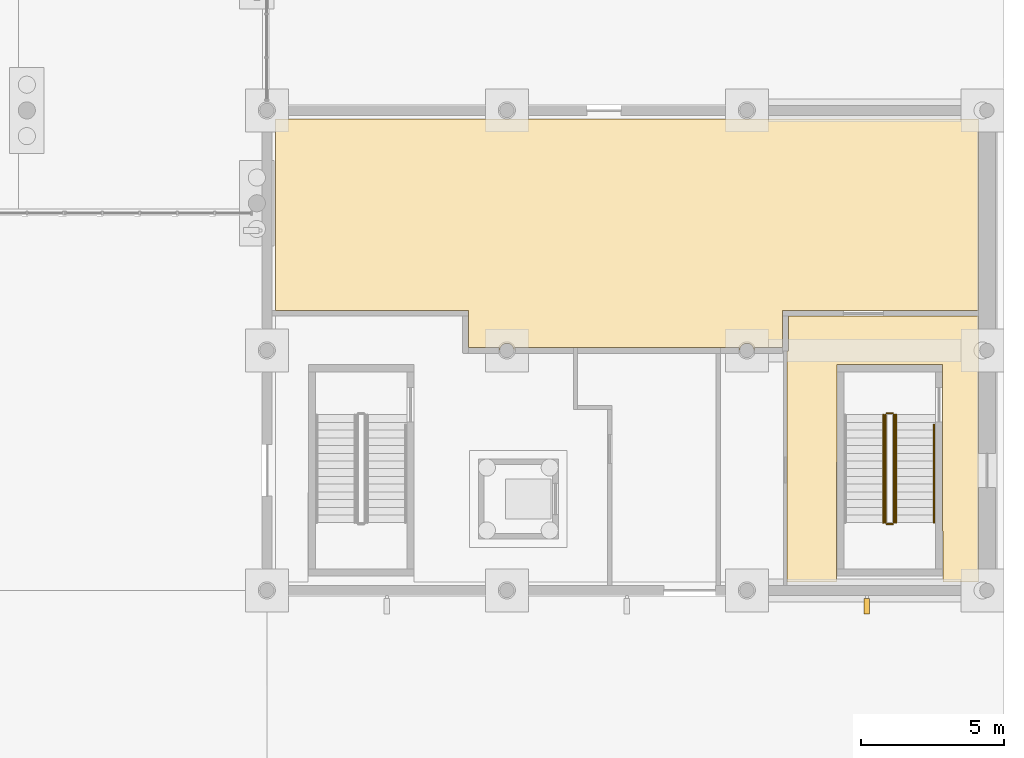
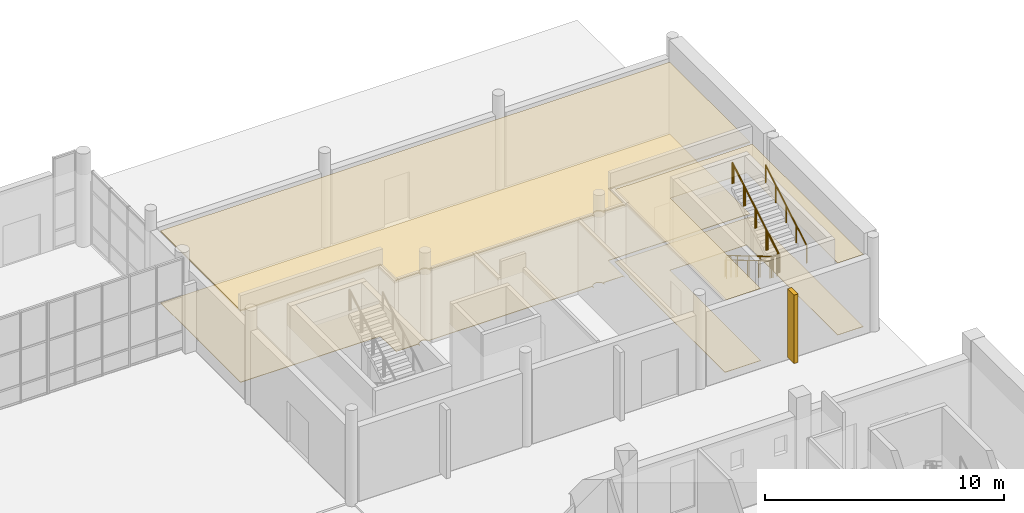
# One storey, part 108 of 110: 7 railings, 5 coverings.
"""IFC4 building model written with IfcOpenShell, lengths in metres."""

import ifcopenshell
import ifcopenshell.guid

model = None  # the IFC model being written
_history = None  # IfcOwnerHistory: only IFC2X3 demands one
_inside = {}  # id of a spatial element -> (the spatial element, [elements in it])
_under = {}  # id of a project, library or spatial element -> (it, [spatial elements below it])
_declared = {}  # id of a project -> (the project, [libraries it declares])
_typed = {}  # id of a type object -> (the type object, [elements of that type])
_made_of = {}  # id of a material, layer set ... -> (it, [elements and type objects made of it])


def new_model(schema):
    """Start an empty IFC model of exactly this schema.

    Asked for "IFC4X3", IfcOpenShell would pick the latest addendum, in which some entities
    have other attributes; the version numbers below select the first issue.
    IFC2X3 requires an IfcOwnerHistory on every rooted entity: one is made here for all.
    """
    global model, _history
    if schema == "IFC4X3":
        model = ifcopenshell.file(schema_version=(4, 3, 0, 0))
    else:
        model = ifcopenshell.file(schema=schema)
    _inside.clear()
    _under.clear()
    _declared.clear()
    _typed.clear()
    _made_of.clear()
    _history = None
    if model.schema == "IFC2X3":
        org = make("IfcOrganization", Name="unknown")
        user = make(
            "IfcPersonAndOrganization",
            ThePerson=make("IfcPerson", FamilyName="unknown"),
            TheOrganization=org,
        )
        app = make(
            "IfcApplication",
            ApplicationDeveloper=org,
            Version="unknown",
            ApplicationFullName="unknown",
            ApplicationIdentifier="unknown",
        )
        _history = make(
            "IfcOwnerHistory",
            OwningUser=user,
            OwningApplication=app,
            ChangeAction="ADDED",
            CreationDate=0,
        )
    return model


def make(cls, **values):
    """One entity of the class cls with the attributes given. An attribute that is None is left unset."""
    return model.create_entity(
        cls, **{name: value for name, value in values.items() if value is not None}
    )


def rooted(cls, **values):
    """An entity with a GlobalId (a new one), such as an element, a storey or a relation."""
    return make(cls, GlobalId=ifcopenshell.guid.new(), OwnerHistory=_history, **values)


def si_unit(unit_type, name, prefix=None):
    """IfcSIUnit, for example si_unit("LENGTHUNIT", "METRE", prefix="MILLI")."""
    return make("IfcSIUnit", UnitType=unit_type, Prefix=prefix, Name=name)


def assignment(units):
    """IfcUnitAssignment: the units of a project."""
    return None if units is None else make("IfcUnitAssignment", Units=units)


def point(xyz):
    """IfcCartesianPoint."""
    return None if xyz is None else make("IfcCartesianPoint", Coordinates=xyz)


def direction(xyz):
    """IfcDirection."""
    return None if xyz is None else make("IfcDirection", DirectionRatios=xyz)


def frame(location, z_axis=None, x_axis=None):
    """IfcAxis2Placement3D, a coordinate frame: its origin and axes. An axis left out is left unset."""
    return make(
        "IfcAxis2Placement3D",
        Location=point(location),
        Axis=direction(z_axis),
        RefDirection=direction(x_axis),
    )


def frame_2d(location, x_axis=None):
    """IfcAxis2Placement2D, a coordinate frame in the plane: its origin and x axis."""
    return make(
        "IfcAxis2Placement2D", Location=point(location), RefDirection=direction(x_axis)
    )


def origin():
    """The frame at (0, 0, 0) with its axes left unset."""
    return frame((0.0, 0.0, 0.0))


def origin_2d():
    """The frame at (0, 0) in the plane with its x axis left unset."""
    return frame_2d((0.0, 0.0))


def place(relative_to, where):
    """IfcLocalPlacement: puts the frame where relative to a parent placement (None: the world)."""
    return make(
        "IfcLocalPlacement", PlacementRelTo=relative_to, RelativePlacement=where
    )


def context(
    kind, dimensions, precision=None, world=None, true_north=None, identifier=None
):
    """IfcGeometricRepresentationContext, for example the 3D "Model" context."""
    return make(
        "IfcGeometricRepresentationContext",
        ContextIdentifier=identifier,
        ContextType=kind,
        CoordinateSpaceDimension=dimensions,
        Precision=precision,
        WorldCoordinateSystem=world,
        TrueNorth=true_north,
    )


def subcontext(parent, identifier, kind, view, scale=None):
    """IfcGeometricRepresentationSubContext, for example "Body" below "Model"."""
    return make(
        "IfcGeometricRepresentationSubContext",
        ContextIdentifier=identifier,
        ContextType=kind,
        ParentContext=parent,
        TargetScale=scale,
        TargetView=view,
    )


def project(units=None, contexts=None):
    """IfcProject with its units and contexts."""
    return rooted(
        "IfcProject",
        Name="project",
        RepresentationContexts=contexts,
        UnitsInContext=assignment(units),
    )


def spatial(cls, under=None, at=None, **own):
    """A site, building, storey or space (cls), placed at a placement, below another one or the project."""
    s = rooted(cls, ObjectPlacement=at, **own)
    if under is not None:
        _under.setdefault(under.id(), (under, []))[1].append(s)
    return s


def polyline(points):
    """IfcPolyline through the points."""
    return make("IfcPolyline", Points=[point(p) for p in points])


def profile(cls, at=None, kind="AREA", **sizes):
    """A parametric profile (cls). Its sizes go by their IFC names, for example OverallWidth=200.0."""
    return make(cls, ProfileType=kind, Position=at, **sizes)


def circle(**sizes):
    """IfcCircleProfileDef."""
    return profile("IfcCircleProfileDef", **sizes)


def outline(outer, holes=None, kind="AREA"):
    """IfcArbitraryClosedProfileDef: a profile drawn as a closed curve; with holes, ...WithVoids."""
    if holes is None:
        return make("IfcArbitraryClosedProfileDef", ProfileType=kind, OuterCurve=outer)
    return make(
        "IfcArbitraryProfileDefWithVoids",
        ProfileType=kind,
        OuterCurve=outer,
        InnerCurves=holes,
    )


def extrude(swept, where, along, depth):
    """IfcExtrudedAreaSolid: the profile swept, set in the frame where, extruded along a direction by depth."""
    return make(
        "IfcExtrudedAreaSolid",
        SweptArea=swept,
        Position=where,
        ExtrudedDirection=direction(along),
        Depth=depth,
    )


def shape(context_of_items, identifier, shape_type, items):
    """IfcShapeRepresentation: the items that make up one representation, for example the "Body"."""
    return make(
        "IfcShapeRepresentation",
        ContextOfItems=context_of_items,
        RepresentationIdentifier=identifier,
        RepresentationType=shape_type,
        Items=items,
    )


def material(Name=None, Category=None):
    """IfcMaterial."""
    return make("IfcMaterial", Name=Name, Category=Category)


def layer(
    of_material, thickness, ventilated=None, Name=None, Category=None, Priority=None
):
    """IfcMaterialLayer: one layer of a wall or slab, of a material (None: an air gap)."""
    return make(
        "IfcMaterialLayer",
        Material=of_material,
        LayerThickness=thickness,
        IsVentilated=ventilated,
        Name=Name,
        Category=Category,
        Priority=Priority,
    )


def layer_set(layers, Name=None):
    """IfcMaterialLayerSet."""
    return make("IfcMaterialLayerSet", MaterialLayers=layers, LayerSetName=Name)


def made_of(thing, what):
    """Note that an element or type object is made of a material, layer set ...; save() writes the relation."""
    if what is not None:
        _made_of.setdefault(what.id(), (what, []))[1].append(thing)
    return thing


def type_object(cls, material=None, **own):
    """A type object (cls), such as IfcWallType, which elements share."""
    return made_of(rooted(cls, **own), material)


def element(
    cls,
    number,
    at=None,
    inside=None,
    cuts=None,
    type_object=None,
    material=None,
    context=None,
    identifier="Body",
    shape_type=None,
    held_by="IfcProductDefinitionShape",
    body=None,
    shapes=None,
    **own,
):
    """One element of the class cls, such as IfcWall. Its Tag is "e" and its number.

    at: its placement. inside: the storey or other place that contains it. cuts: it is an
    opening in that element (IfcRelVoidsElement). A single representation is given by context,
    identifier, shape_type and body (its items); several are given by shapes. held_by: the class
    of the entity that holds the representations. save() writes the other relations.
    """
    e = rooted(cls, Tag="e%d" % number, ObjectPlacement=at, **own)
    if body is not None:
        shapes = [shape(context, identifier, shape_type, body)]
    if shapes is not None:
        e.Representation = make(held_by, Representations=shapes)
    if inside is not None:
        _inside.setdefault(inside.id(), (inside, []))[1].append(e)
    if cuts is not None:
        rooted(
            "IfcRelVoidsElement", RelatingBuildingElement=cuts, RelatedOpeningElement=e
        )
    if type_object is not None:
        _typed.setdefault(type_object.id(), (type_object, []))[1].append(e)
    return made_of(e, material)


def aggregate(whole, parts):
    """IfcRelAggregates: a whole, such as a stair, and the parts it consists of."""
    return rooted("IfcRelAggregates", RelatingObject=whole, RelatedObjects=parts)


def save(model, path):
    """Write the relations noted so far, then the file.

    IfcRelAggregates (storeys below a building ...), IfcRelContainedInSpatialStructure (elements
    in a storey), IfcRelDefinesByType, IfcRelAssociatesMaterial and IfcRelDeclares: one each for
    every whole, place, type object, material and project.
    """
    for whole, parts in _under.values():
        aggregate(whole, parts)
    for where, things in _inside.values():
        rooted(
            "IfcRelContainedInSpatialStructure",
            RelatedElements=things,
            RelatingStructure=where,
        )
    for kind, things in _typed.values():
        rooted("IfcRelDefinesByType", RelatedObjects=things, RelatingType=kind)
    for what, things in _made_of.values():
        rooted("IfcRelAssociatesMaterial", RelatedObjects=things, RelatingMaterial=what)
    for by, libraries in _declared.values():
        rooted("IfcRelDeclares", RelatingContext=by, RelatedDefinitions=libraries)
    model.write(path)


model = new_model("IFC4")

# Units and contexts
model_context = context("Model", 3, precision=1e-05, world=origin(), true_north=direction((0.0, 1.0)))
body_context = subcontext(model_context, "Body", "Model", "MODEL_VIEW")
ifc_project = project(units=[si_unit("LENGTHUNIT", "METRE"), si_unit("AREAUNIT", "SQUARE_METRE"), si_unit("VOLUMEUNIT", "CUBIC_METRE"), si_unit("PLANEANGLEUNIT", "RADIAN"), si_unit("MASSUNIT", "GRAM", prefix="KILO")], contexts=[model_context])

# Site, building, storey
site_placement = place(None, origin())
site = spatial("IfcSite", under=ifc_project, at=site_placement, CompositionType="ELEMENT")
building_placement = place(site_placement, origin())
building = spatial("IfcBuilding", under=site, at=building_placement, Name="Larchfold Concert Hall", CompositionType="ELEMENT")
storey_placement = place(building_placement, origin())
storey = spatial("IfcBuildingStorey", under=building, at=storey_placement, Name="L00", CompositionType="ELEMENT", Elevation=0.0)

# Coverings
ifc_material_1 = material(Name="Acoustic timber lining", Category="wood")
ifc_layer_1 = layer(ifc_material_1, 0.06005859375)
ifc_layer_set_1 = layer_set([ifc_layer_1], Name="Acoustic timber lining")
covering_type_1 = type_object("IfcCoveringType", Name="Ceiling acoustic timber lining 60", PredefinedType="CEILING", material=ifc_layer_set_1)
covering_1_placement = place(storey_placement, frame((0.0, 0.0, 3.64013671875)))
element("IfcCovering", 1, at=covering_1_placement, inside=storey, type_object=covering_type_1, Name="Ceiling Rehearsal Room", PredefinedType="CEILING", context=body_context, shape_type="SweptSolid", body=[
    extrude(outline(polyline([(83.255859375, 118.199951171875), (83.256103515625, 118.301025390625), (84.330078125, 118.30078125), (84.330078125, 118.199951171875), (84.35009765625, 118.199951171875), (84.352294921875, 118.232666015625), (84.369140625, 118.295654296875), (84.40185546875, 118.35205078125), (84.42333984375, 118.376708984375), (84.447998046875, 118.398193359375), (84.50439453125, 118.430908203125), (84.535400390625, 118.44140625), (84.60009765625, 118.449951171875), (84.664794921875, 118.44140625), (84.69580078125, 118.430908203125), (84.752197265625, 118.398193359375), (84.77685546875, 118.376708984375), (84.79833984375, 118.35205078125), (84.8310546875, 118.295654296875), (84.847900390625, 118.232666015625), (84.85009765625, 118.199951171875), (84.8701171875, 118.199951171875), (84.8701171875, 118.300537109375), (92.72998046875, 118.300048828125), (92.72998046875, 118.199951171875), (92.75, 118.199951171875), (92.752197265625, 118.232666015625), (92.76904296875, 118.295654296875), (92.8017578125, 118.35205078125), (92.8232421875, 118.376708984375), (92.847900390625, 118.398193359375), (92.904296875, 118.430908203125), (92.935302734375, 118.44140625), (93.0, 118.449951171875), (93.064697265625, 118.44140625), (93.095703125, 118.430908203125), (93.152099609375, 118.398193359375), (93.1767578125, 118.376708984375), (93.1982421875, 118.35205078125), (93.23095703125, 118.295654296875), (93.247802734375, 118.232666015625), (93.25, 118.199951171875), (93.27001953125, 118.199951171875), (93.27001953125, 118.300048828125), (94.25, 118.300048828125), (94.2509765625, 118.199951171875), (94.2509765625, 119.59912109375), (101.099853515625, 119.59912109375), (101.099853515625, 126.300048828125), (76.5, 126.300048828125), (76.5, 119.59912109375), (83.2490234375, 119.59912109375), (83.255859375, 118.199951171875)])), origin(), (0.0, 0.0, 1.0), 0.06005859375),
])
ifc_material_2 = material(Name="Mineral fibre ceiling tile")
ifc_layer_2 = layer(ifc_material_2, 0.02001953125)
ifc_layer_set_2 = layer_set([ifc_layer_2], Name="Mineral fibre ceiling tile")
covering_type_2 = type_object("IfcCoveringType", Name="Ceiling mineral fibre tile 20", PredefinedType="CEILING", material=ifc_layer_set_2)
covering_2_placement = place(storey_placement, frame((0.0, 0.0, 3.68017578125)))
element("IfcCovering", 2, at=covering_2_placement, inside=storey, type_object=covering_type_2, Name="Ceiling Escape Corridor 07", PredefinedType="CEILING", context=body_context, shape_type="SweptSolid", body=[
    extrude(outline(polyline([(94.451171875, 119.39892578125), (94.451171875, 118.179931640625), (94.41357421875, 118.179931640625), (94.41357421875, 110.10009765625), (96.141845703125, 110.10009765625), (96.14990234375, 117.699951171875), (99.85009765625, 117.699951171875), (99.858154296875, 110.10009765625), (101.099853515625, 110.10009765625), (101.099853515625, 119.39892578125), (94.451171875, 119.39892578125)])), origin(), (0.0, 0.0, 1.0), 0.02001953125),
])
ifc_material_3 = material(Name="Oak boards on battens")
ifc_layer_3 = layer(ifc_material_3, 0.02490234375)
ifc_layer_set_3 = layer_set([ifc_layer_3], Name="Oak boards on battens")
covering_type_3 = type_object("IfcCoveringType", Name="Floor finish timber boards 25", PredefinedType="FLOORING", material=ifc_layer_set_3)
covering_3_placement = place(storey_placement, origin())
element("IfcCovering", 3, at=covering_3_placement, inside=storey, type_object=covering_type_3, Name="Floor finish Rehearsal Room", PredefinedType="FLOORING", context=body_context, shape_type="SweptSolid", body=[
    extrude(outline(polyline([(83.255859375, 118.199951171875), (83.256103515625, 118.301025390625), (84.330078125, 118.30078125), (84.330078125, 118.199951171875), (84.35009765625, 118.199951171875), (84.352294921875, 118.232666015625), (84.369140625, 118.295654296875), (84.40185546875, 118.35205078125), (84.42333984375, 118.376708984375), (84.447998046875, 118.398193359375), (84.50439453125, 118.430908203125), (84.535400390625, 118.44140625), (84.60009765625, 118.449951171875), (84.664794921875, 118.44140625), (84.69580078125, 118.430908203125), (84.752197265625, 118.398193359375), (84.77685546875, 118.376708984375), (84.79833984375, 118.35205078125), (84.8310546875, 118.295654296875), (84.847900390625, 118.232666015625), (84.85009765625, 118.199951171875), (84.8701171875, 118.199951171875), (84.8701171875, 118.300537109375), (92.72998046875, 118.300048828125), (92.72998046875, 118.199951171875), (92.75, 118.199951171875), (92.752197265625, 118.232666015625), (92.76904296875, 118.295654296875), (92.8017578125, 118.35205078125), (92.8232421875, 118.376708984375), (92.847900390625, 118.398193359375), (92.904296875, 118.430908203125), (92.935302734375, 118.44140625), (93.0, 118.449951171875), (93.064697265625, 118.44140625), (93.095703125, 118.430908203125), (93.152099609375, 118.398193359375), (93.1767578125, 118.376708984375), (93.1982421875, 118.35205078125), (93.23095703125, 118.295654296875), (93.247802734375, 118.232666015625), (93.25, 118.199951171875), (93.27001953125, 118.199951171875), (93.27001953125, 118.300048828125), (94.25, 118.300048828125), (94.2509765625, 118.199951171875), (94.2509765625, 119.59912109375), (101.099853515625, 119.59912109375), (101.099853515625, 126.300048828125), (76.5, 126.300048828125), (76.5, 119.59912109375), (83.2490234375, 119.59912109375), (83.255859375, 118.199951171875)])), origin(), (0.0, 0.0, 1.0), 0.02490234375),
])
ifc_material_4 = material(Name="Linoleum sheet")
ifc_layer_4 = layer(ifc_material_4, 0.02001953125)
ifc_layer_set_4 = layer_set([ifc_layer_4], Name="Linoleum sheet")
covering_type_4 = type_object("IfcCoveringType", Name="Floor finish vinyl 20", PredefinedType="FLOORING", material=ifc_layer_set_4)
covering_4_placement = place(storey_placement, origin())
element("IfcCovering", 4, at=covering_4_placement, inside=storey, type_object=covering_type_4, Name="Floor finish Escape Corridor 07", PredefinedType="FLOORING", context=body_context, shape_type="SweptSolid", body=[
    extrude(outline(polyline([(94.451171875, 119.39892578125), (94.451171875, 118.179931640625), (94.41357421875, 118.179931640625), (94.41357421875, 110.10009765625), (96.141845703125, 110.10009765625), (96.14990234375, 117.699951171875), (99.85009765625, 117.699951171875), (99.858154296875, 110.10009765625), (101.099853515625, 110.10009765625), (101.099853515625, 119.39892578125), (94.451171875, 119.39892578125)])), origin(), (0.0, 0.0, 1.0), 0.02001953125),
])
ifc_material_5 = material(Name="Glulam GL30c", Category="wood")
ifc_layer_5 = layer(ifc_material_5, 0.199951171875)
ifc_layer_set_5 = layer_set([ifc_layer_5], Name="Glulam GL30c")
covering_type_5 = type_object("IfcCoveringType", Name="Glulam fin 200x550", PredefinedType="CLADDING", material=ifc_layer_set_5)
covering_5_placement = place(storey_placement, frame((0.0, 0.0, 0.199951171875)))
element("IfcCovering", 5, at=covering_5_placement, inside=storey, type_object=covering_type_5, Name="Glulam fin FN-L00-033", PredefinedType="CLADDING", context=body_context, shape_type="SweptSolid", body=[
    extrude(outline(polyline([(97.300048828125, 108.97509765625), (97.300048828125, 109.525146484375), (97.10009765625, 109.525146484375), (97.10009765625, 108.97509765625), (97.300048828125, 108.97509765625)])), origin(), (0.0, 0.0, 1.0), 3.5),
])

# Railings
ifc_material_6 = material(Name="Stainless steel balustrade", Category="steel")
railing_type_1 = type_object("IfcRailingType", Name="Stair guard 1100", PredefinedType="GUARDRAIL", material=ifc_material_6)
railing_1_placement = place(storey_placement, frame((97.849853515625, 115.949951171875, 0.159912109375)))
element("IfcRailing", 6, at=railing_1_placement, inside=storey, type_object=railing_type_1, Name="Guard GR0081", PredefinedType="GUARDRAIL", context=body_context, shape_type="SweptSolid", body=[
    extrude(circle(Radius=0.02392578125, at=origin_2d()), frame((0.0, 0.0, 1.076171875), z_axis=(0.0, -0.860294241299, 0.509797821089), x_axis=(1.0, 0.0, 0.0)), (0.0, 0.0, 1.0), 4.393798828125),
    extrude(circle(Radius=0.02099609375, at=origin_2d()), origin(), (0.0, 0.0, 1.0), 1.052001953125),
    extrude(circle(Radius=0.02099609375, at=origin_2d()), frame((0.0, -0.945068359375, 0.56005859375)), (0.0, 0.0, 1.0), 1.052001953125),
    extrude(circle(Radius=0.02099609375, at=origin_2d()), frame((0.0, -1.89013671875, 1.1201171875)), (0.0, 0.0, 1.0), 1.052001953125),
    extrude(circle(Radius=0.02099609375, at=origin_2d()), frame((0.0, -2.8349609375, 1.679931640625)), (0.0, 0.0, 1.0), 1.052001953125),
    extrude(circle(Radius=0.02099609375, at=origin_2d()), frame((0.0, -3.780029296875, 2.239990234375)), (0.0, 0.0, 1.0), 1.052001953125),
])
railing_2_placement = place(storey_placement, frame((97.89990234375, 112.119873046875, 2.39990234375)))
element("IfcRailing", 7, at=railing_2_placement, inside=storey, type_object=railing_type_1, Name="Guard GR0082", PredefinedType="GUARDRAIL", context=body_context, shape_type="SweptSolid", body=[
    extrude(circle(Radius=0.02392578125, at=origin_2d()), frame((0.0, 0.0, 1.076171875), z_axis=(1.0, 0.0, 0.0), x_axis=(0.0, 1.0, 0.0)), (0.0, 0.0, 1.0), 0.199951171875),
    extrude(circle(Radius=0.02099609375, at=origin_2d()), origin(), (0.0, 0.0, 1.0), 1.052001953125),
    extrude(circle(Radius=0.02099609375, at=origin_2d()), frame((0.199951171875, 0.0, 0.0)), (0.0, 0.0, 1.0), 1.052001953125),
])
railing_3_placement = place(storey_placement, frame((98.14990234375, 112.169921875, 2.56005859375)))
element("IfcRailing", 8, at=railing_3_placement, inside=storey, type_object=railing_type_1, Name="Guard GR0083", PredefinedType="GUARDRAIL", context=body_context, shape_type="SweptSolid", body=[
    extrude(circle(Radius=0.02392578125, at=origin_2d()), frame((0.0, 0.0, 1.076171875), z_axis=(0.0, 0.860294241299, 0.509797821089), x_axis=(-1.0, 0.0, 0.0)), (0.0, 0.0, 1.0), 4.393798828125),
    extrude(circle(Radius=0.02099609375, at=origin_2d()), origin(), (0.0, 0.0, 1.0), 1.052001953125),
    extrude(circle(Radius=0.02099609375, at=origin_2d()), frame((0.0, 0.945068359375, 0.56005859375)), (0.0, 0.0, 1.0), 1.052001953125),
    extrude(circle(Radius=0.02099609375, at=origin_2d()), frame((0.0, 1.89013671875, 1.1201171875)), (0.0, 0.0, 1.0), 1.052001953125),
    extrude(circle(Radius=0.02099609375, at=origin_2d()), frame((0.0, 2.8349609375, 1.679931640625)), (0.0, 0.0, 1.0), 1.052001953125),
    extrude(circle(Radius=0.02099609375, at=origin_2d()), frame((0.0, 3.780029296875, 2.239990234375)), (0.0, 0.0, 1.0), 1.052001953125),
])
railing_4_placement = place(storey_placement, frame((97.89990234375, 116.0, 0.0)))
element("IfcRailing", 9, at=railing_4_placement, inside=storey, type_object=railing_type_1, Name="Guard GR0084", PredefinedType="GUARDRAIL", context=body_context, shape_type="SweptSolid", body=[
    extrude(circle(Radius=0.02392578125, at=origin_2d()), frame((0.0, 0.0, 1.076171875), z_axis=(1.0, 0.0, 0.0), x_axis=(0.0, 1.0, 0.0)), (0.0, 0.0, 1.0), 0.199951171875),
    extrude(circle(Radius=0.02099609375, at=origin_2d()), origin(), (0.0, 0.0, 1.0), 1.052001953125),
    extrude(circle(Radius=0.02099609375, at=origin_2d()), frame((0.199951171875, 0.0, 0.0)), (0.0, 0.0, 1.0), 1.052001953125),
])
ifc_material_7 = material(Name="Stainless steel handrail", Category="steel")
railing_type_2 = type_object("IfcRailingType", Name="Stair handrail 900", PredefinedType="HANDRAIL", material=ifc_material_7)
railing_5_placement = place(storey_placement, frame((99.5498046875, 112.169921875, 2.56005859375)))
element("IfcRailing", 10, at=railing_5_placement, inside=storey, type_object=railing_type_2, Name="Handrail HR0078", PredefinedType="HANDRAIL", context=body_context, shape_type="SweptSolid", body=[
    extrude(circle(Radius=0.02392578125, at=origin_2d()), frame((0.0, 0.0, 0.8759765625), z_axis=(0.0, 0.860316398594, 0.509760428348), x_axis=(-1.0, 0.0, 0.0)), (0.0, 0.0, 1.0), 3.987060546875),
    extrude(circle(Radius=0.02099609375, at=origin_2d()), origin(), (0.0, 0.0, 1.0), 0.851806640625),
    extrude(circle(Radius=0.02099609375, at=origin_2d()), frame((0.0, 0.857421875, 0.508056640625)), (0.0, 0.0, 1.0), 0.851806640625),
    extrude(circle(Radius=0.02099609375, at=origin_2d()), frame((0.0, 1.715087890625, 1.01611328125)), (0.0, 0.0, 1.0), 0.851806640625),
    extrude(circle(Radius=0.02099609375, at=origin_2d()), frame((0.0, 2.57275390625, 1.5244140625)), (0.0, 0.0, 1.0), 0.851806640625),
    extrude(circle(Radius=0.02099609375, at=origin_2d()), frame((0.0, 3.43017578125, 2.032470703125)), (0.0, 0.0, 1.0), 0.851806640625),
])
railing_6_placement = place(storey_placement, frame((97.77978515625, 115.949951171875, 0.159912109375)))
element("IfcRailing", 11, at=railing_6_placement, inside=storey, type_object=railing_type_2, Name="Handrail HR0079", PredefinedType="HANDRAIL", context=body_context, shape_type="SweptSolid", body=[
    extrude(circle(Radius=0.02392578125, at=origin_2d()), frame((0.0, 0.0, 0.8759765625), z_axis=(0.0, -0.860294241299, 0.509797821089), x_axis=(1.0, 0.0, 0.0)), (0.0, 0.0, 1.0), 4.393798828125),
    extrude(circle(Radius=0.02099609375, at=origin_2d()), origin(), (0.0, 0.0, 1.0), 0.851806640625),
    extrude(circle(Radius=0.02099609375, at=origin_2d()), frame((0.0, -0.945068359375, 0.56005859375)), (0.0, 0.0, 1.0), 0.851806640625),
    extrude(circle(Radius=0.02099609375, at=origin_2d()), frame((0.0, -1.89013671875, 1.1201171875)), (0.0, 0.0, 1.0), 0.851806640625),
    extrude(circle(Radius=0.02099609375, at=origin_2d()), frame((0.0, -2.8349609375, 1.679931640625)), (0.0, 0.0, 1.0), 0.851806640625),
    extrude(circle(Radius=0.02099609375, at=origin_2d()), frame((0.0, -3.780029296875, 2.239990234375)), (0.0, 0.0, 1.0), 0.851806640625),
])
railing_7_placement = place(storey_placement, frame((98.219970703125, 112.169921875, 2.56005859375)))
element("IfcRailing", 12, at=railing_7_placement, inside=storey, type_object=railing_type_2, Name="Handrail HR0080", PredefinedType="HANDRAIL", context=body_context, shape_type="SweptSolid", body=[
    extrude(circle(Radius=0.02392578125, at=origin_2d()), frame((0.0, 0.0, 0.8759765625), z_axis=(0.0, 0.860294241299, 0.509797821089), x_axis=(-1.0, 0.0, 0.0)), (0.0, 0.0, 1.0), 4.393798828125),
    extrude(circle(Radius=0.02099609375, at=origin_2d()), origin(), (0.0, 0.0, 1.0), 0.851806640625),
    extrude(circle(Radius=0.02099609375, at=origin_2d()), frame((0.0, 0.945068359375, 0.56005859375)), (0.0, 0.0, 1.0), 0.851806640625),
    extrude(circle(Radius=0.02099609375, at=origin_2d()), frame((0.0, 1.89013671875, 1.1201171875)), (0.0, 0.0, 1.0), 0.851806640625),
    extrude(circle(Radius=0.02099609375, at=origin_2d()), frame((0.0, 2.8349609375, 1.679931640625)), (0.0, 0.0, 1.0), 0.851806640625),
    extrude(circle(Radius=0.02099609375, at=origin_2d()), frame((0.0, 3.780029296875, 2.239990234375)), (0.0, 0.0, 1.0), 0.851806640625),
])

save(model, "model.ifc")
